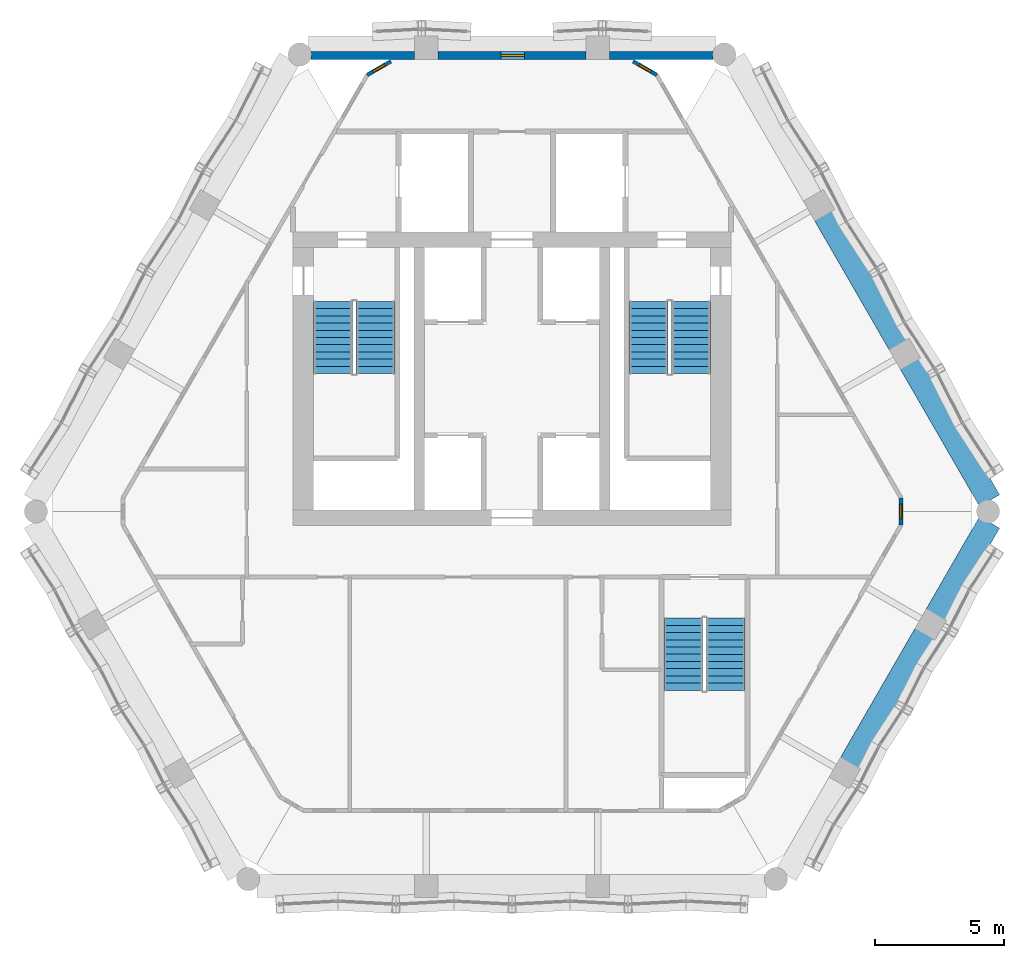
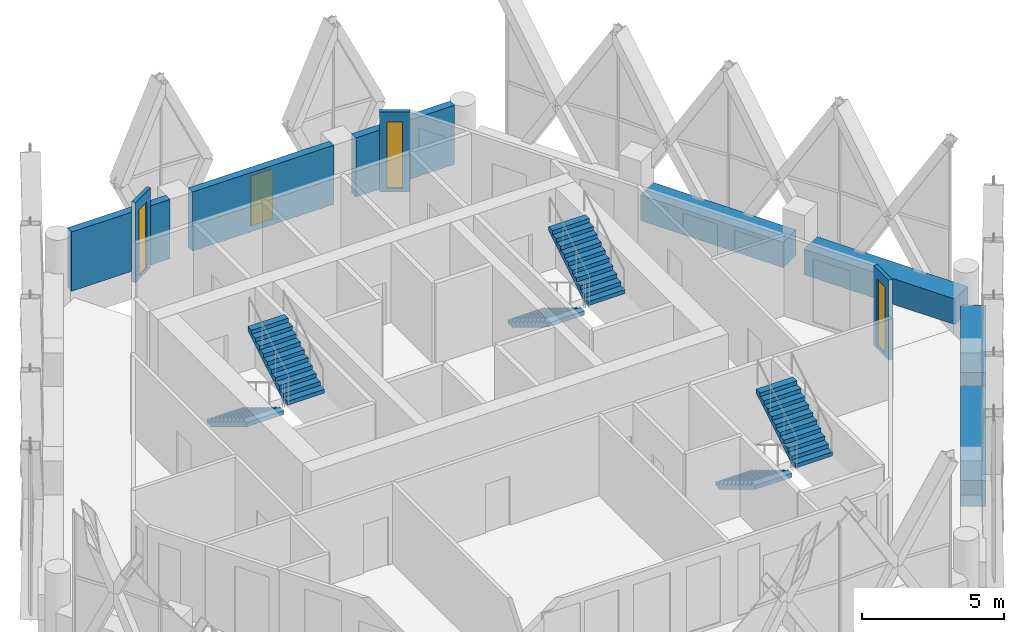
# One storey, part 21 of 27: 10 walls, 6 stair flights, 4 windows, 4 openings, 3 elements without a shape of their own.
"""IFC4 building model written with IfcOpenShell, lengths in metres."""

from ifc_helpers import new_model, si_unit, direction, frame, frame_2d, origin, place, context, subcontext, project, spatial, polyline, rectangle, outline, extrude, material, layer, layer_set, type_object, element, fill, aggregate, save


model = new_model("IFC4")

# Units and contexts
model_context = context("Model", 3, precision=1e-05, world=origin(), true_north=direction((0.0, 1.0)))
body_context = subcontext(model_context, "Body", "Model", "MODEL_VIEW")
ifc_project = project(units=[si_unit("LENGTHUNIT", "METRE"), si_unit("AREAUNIT", "SQUARE_METRE"), si_unit("VOLUMEUNIT", "CUBIC_METRE"), si_unit("PLANEANGLEUNIT", "RADIAN"), si_unit("MASSUNIT", "GRAM", prefix="KILO")], contexts=[model_context])

# Site, building, storey
site_placement = place(None, origin())
site = spatial("IfcSite", under=ifc_project, at=site_placement, CompositionType="ELEMENT")
building_placement = place(site_placement, origin())
building = spatial("IfcBuilding", under=site, at=building_placement, Name="Ostrander Bayou Hotel Tower", CompositionType="ELEMENT")
storey_placement = place(building_placement, frame((0.0, 0.0, 267.5)))
storey = spatial("IfcBuildingStorey", under=building, at=storey_placement, Name="L66", CompositionType="ELEMENT", Elevation=267.5)

# Wall, opening, window
ifc_material_1 = material(Name="Aluminium framed insulated wall", Category="aluminium")
ifc_layer_1 = layer(ifc_material_1, 0.14990234375)
ifc_layer_set_1 = layer_set([ifc_layer_1], Name="GW1 glass-line wall 150 mm")
wall_type_1 = type_object("IfcWallType", Name="GW1 glass-line wall 150 mm", PredefinedType="SOLIDWALL", material=ifc_layer_set_1)
wall_1_placement = place(storey_placement, frame((-4.70361328125, 16.324951171875, 0.0), z_axis=(0.0, 0.0, 1.0), x_axis=(-0.866048165231, -0.499960573946, 0.0)))
wall_1 = element("IfcWall", 1, at=wall_1_placement, inside=storey, type_object=wall_type_1, Name="GW1 L66 corner 1", PredefinedType="SOLIDWALL", context=body_context, shape_type="SweptSolid", body=[
    extrude(rectangle(XDim=1.06494140625, YDim=0.14990234375, at=frame_2d((0.532470703125, 0.0))), origin(), (0.0, 0.0, 1.0), 3.449951171875),
])
opening_1_placement = place(wall_1_placement, frame((0.257568359375, 0.0, 0.14990234375)))
opening_1 = element("IfcOpeningElement", 2, at=opening_1_placement, cuts=wall_1, Name="Opening W19", PredefinedType="OPENING", context=body_context, shape_type="SweptSolid", body=[
    extrude(rectangle(XDim=0.550048828125, YDim=2.85009765625, at=frame_2d((0.27490234375, 1.425048828125))), frame((0.0, 0.074951171875, 0.0), z_axis=(0.0, -1.0, 0.0), x_axis=(1.0, 0.0, 0.0)), (0.0, 0.0, 1.0), 0.14990234375),
])
ifc_material_2 = material(Name="Aluminium and clear glass", Category="aluminium")
window_type_1 = type_object("IfcWindowType", Name="W19 corner window 550 mm", PartitioningType="SINGLE_PANEL", PredefinedType="WINDOW", material=ifc_material_2)
window_1_placement = place(opening_1_placement, origin())
window_1 = element("IfcWindow", 3, at=window_1_placement, inside=storey, type_object=window_type_1, Name="W19 L66 corner 1", OverallHeight=2.85009765625, OverallWidth=0.550048828125, PartitioningType="SINGLE_PANEL", PredefinedType="WINDOW", context=body_context, shape_type="SweptSolid", body=[
    extrude(rectangle(XDim=0.550048828125, YDim=2.85009765625, at=frame_2d((0.27490234375, 1.425048828125))), frame((0.0, 0.030029296875, 0.0), z_axis=(0.0, -1.0, 0.0), x_axis=(1.0, 0.0, 0.0)), (0.0, 0.0, 1.0), 0.06005859375),
])
fill(opening_1, window_1)

wall_2_placement = place(storey_placement, frame((15.10400390625, -1.68896484375, 0.0), z_axis=(0.0, 0.0, 1.0), x_axis=(0.0, 1.0, 0.0)))
wall_2 = element("IfcWall", 4, at=wall_2_placement, inside=storey, type_object=wall_type_1, Name="GW1 L66 corner 5", PredefinedType="SOLIDWALL", context=body_context, shape_type="SweptSolid", body=[
    extrude(rectangle(XDim=1.06494140625, YDim=0.14990234375, at=frame_2d((0.532470703125, 0.0))), origin(), (0.0, 0.0, 1.0), 3.449951171875),
])
opening_2_placement = place(wall_2_placement, frame((0.257568359375, 0.0, 0.14990234375)))
opening_2 = element("IfcOpeningElement", 5, at=opening_2_placement, cuts=wall_2, Name="Opening W19", PredefinedType="OPENING", context=body_context, shape_type="SweptSolid", body=[
    extrude(rectangle(XDim=0.550048828125, YDim=2.85009765625, at=frame_2d((0.27490234375, 1.425048828125))), frame((0.0, 0.074951171875, 0.0), z_axis=(0.0, -1.0, 0.0), x_axis=(1.0, 0.0, 0.0)), (0.0, 0.0, 1.0), 0.14990234375),
])
window_2_placement = place(opening_2_placement, origin())
window_2 = element("IfcWindow", 6, at=window_2_placement, inside=storey, type_object=window_type_1, Name="W19 L66 corner 5", OverallHeight=2.85009765625, OverallWidth=0.550048828125, PartitioningType="SINGLE_PANEL", PredefinedType="WINDOW", context=body_context, shape_type="SweptSolid", body=[
    extrude(rectangle(XDim=0.550048828125, YDim=2.85009765625, at=frame_2d((0.27490234375, 1.425048828125))), frame((0.0, 0.030029296875, 0.0), z_axis=(0.0, -1.0, 0.0), x_axis=(1.0, 0.0, 0.0)), (0.0, 0.0, 1.0), 0.06005859375),
])
fill(opening_2, window_2)

wall_3_placement = place(storey_placement, frame((5.6259765625, 15.79248046875, 0.0), z_axis=(0.0, 0.0, 1.0), x_axis=(-0.866048165231, 0.499960573946, 0.0)))
wall_3 = element("IfcWall", 7, at=wall_3_placement, inside=storey, type_object=wall_type_1, Name="GW1 L66 corner 6", PredefinedType="SOLIDWALL", context=body_context, shape_type="SweptSolid", body=[
    extrude(rectangle(XDim=1.06494140625, YDim=0.14990234375, at=frame_2d((0.532470703125, 0.0))), origin(), (0.0, 0.0, 1.0), 3.449951171875),
])
opening_3_placement = place(wall_3_placement, frame((0.257568359375, 0.0, 0.14990234375)))
opening_3 = element("IfcOpeningElement", 8, at=opening_3_placement, cuts=wall_3, Name="Opening W19", PredefinedType="OPENING", context=body_context, shape_type="SweptSolid", body=[
    extrude(rectangle(XDim=0.550048828125, YDim=2.85009765625, at=frame_2d((0.27490234375, 1.425048828125))), frame((0.0, 0.074951171875, 0.0), z_axis=(0.0, -1.0, 0.0), x_axis=(1.0, 0.0, 0.0)), (0.0, 0.0, 1.0), 0.14990234375),
])
window_3_placement = place(opening_3_placement, origin())
window_3 = element("IfcWindow", 9, at=window_3_placement, inside=storey, type_object=window_type_1, Name="W19 L66 corner 6", OverallHeight=2.85009765625, OverallWidth=0.550048828125, PartitioningType="SINGLE_PANEL", PredefinedType="WINDOW", context=body_context, shape_type="SweptSolid", body=[
    extrude(rectangle(XDim=0.550048828125, YDim=2.85009765625, at=frame_2d((0.27490234375, 1.425048828125))), frame((0.0, 0.030029296875, 0.0), z_axis=(0.0, -1.0, 0.0), x_axis=(1.0, 0.0, 0.0)), (0.0, 0.0, 1.0), 0.06005859375),
])
fill(opening_3, window_3)

# Wall
ifc_material_3 = material(Name="Reconstituted stone on masonry backing", Category="masonry")
ifc_layer_2 = layer(ifc_material_3, 0.300048828125)
ifc_layer_set_2 = layer_set([ifc_layer_2], Name="NW1 north stone wall 300 mm")
wall_type_2 = type_object("IfcWallType", Name="NW1 north stone wall 300 mm", PredefinedType="SOLIDWALL", material=ifc_layer_set_2)
wall_4_placement = place(storey_placement, frame((7.7958984375, 16.550048828125, 0.0), z_axis=(0.0, 0.0, 1.0), x_axis=(-1.0, 0.0, 0.0)))
element("IfcWall", 10, at=wall_4_placement, inside=storey, type_object=wall_type_2, Name="NW1 L66 N-1", PredefinedType="SOLIDWALL", context=body_context, shape_type="SweptSolid", body=[
    extrude(rectangle(XDim=4.0166015625, YDim=0.300048828125, at=frame_2d((2.00830078125, 0.0))), origin(), (0.0, 0.0, 1.0), 2.550048828125),
])

# Wall, opening, window
wall_5_placement = place(storey_placement, frame((2.87939453125, 16.550048828125, 0.0), z_axis=(0.0, 0.0, 1.0), x_axis=(-1.0, 0.0, 0.0)))
wall_5 = element("IfcWall", 11, at=wall_5_placement, inside=storey, type_object=wall_type_2, Name="NW1 L66 N-2", PredefinedType="SOLIDWALL", context=body_context, shape_type="SweptSolid", body=[
    extrude(rectangle(XDim=5.7587890625, YDim=0.300048828125, at=frame_2d((2.87939453125, 0.0))), origin(), (0.0, 0.0, 1.0), 2.550048828125),
])
opening_4_placement = place(wall_5_placement, frame((2.39990234375, 0.0, 0.14990234375)))
opening_4 = element("IfcOpeningElement", 12, at=opening_4_placement, cuts=wall_5, Name="Opening W18", PredefinedType="OPENING", context=body_context, shape_type="SweptSolid", body=[
    extrude(rectangle(XDim=0.89990234375, YDim=2.14990234375, at=frame_2d((0.449951171875, 1.074951171875))), frame((0.0, 0.14990234375, 0.0), z_axis=(0.0, -1.0, 0.0), x_axis=(1.0, 0.0, 0.0)), (0.0, 0.0, 1.0), 0.300048828125),
])
ifc_material_4 = material(Name="Aluminium and clear glass", Category="aluminium")
window_type_2 = type_object("IfcWindowType", Name="W18 window 900 mm, zone 4", PartitioningType="SINGLE_PANEL", PredefinedType="WINDOW", material=ifc_material_4)
window_4_placement = place(opening_4_placement, origin())
window_4 = element("IfcWindow", 13, at=window_4_placement, inside=storey, type_object=window_type_2, Name="W18 L66 north N-2", OverallHeight=2.14990234375, OverallWidth=0.89990234375, PartitioningType="SINGLE_PANEL", PredefinedType="WINDOW", context=body_context, shape_type="SweptSolid", body=[
    extrude(rectangle(XDim=0.89990234375, YDim=2.14990234375, at=frame_2d((0.449951171875, 1.074951171875))), frame((0.0, 0.030029296875, 0.0), z_axis=(0.0, -1.0, 0.0), x_axis=(1.0, 0.0, 0.0)), (0.0, 0.0, 1.0), 0.06005859375),
])
fill(opening_4, window_4)

# Walls
wall_6_placement = place(storey_placement, frame((-3.779296875, 16.550048828125, 0.0), z_axis=(0.0, 0.0, 1.0), x_axis=(-1.0, 0.0, 0.0)))
element("IfcWall", 14, at=wall_6_placement, inside=storey, type_object=wall_type_2, Name="NW1 L66 N-3", PredefinedType="SOLIDWALL", context=body_context, shape_type="SweptSolid", body=[
    extrude(rectangle(XDim=4.0166015625, YDim=0.300048828125, at=frame_2d((2.00830078125, 0.0))), origin(), (0.0, 0.0, 1.0), 2.550048828125),
])
ifc_material_5 = material(Name="Concrete f'c 40 MPa", Category="concrete")
ifc_layer_3 = layer(ifc_material_5, 0.89990234375)
ifc_layer_set_3 = layer_set([ifc_layer_3], Name="PA1 stone-faced parapet 900 mm")
wall_type_3 = type_object("IfcWallType", Name="PA1 stone-faced parapet 900 mm", PredefinedType="PARAPET", material=ifc_layer_set_3)
wall_7_placement = place(storey_placement, frame((18.54541015625, -0.734619140625, 0.0), z_axis=(0.0, 0.0, 1.0), x_axis=(-0.499984362083, 0.866034432152, 0.0)))
element("IfcWall", 15, at=wall_7_placement, inside=storey, type_object=wall_type_3, Name="PA1 L66 NE-1", PredefinedType="PARAPET", context=body_context, shape_type="SweptSolid", body=[
    extrude(rectangle(XDim=6.159423828125, YDim=0.89990234375, at=frame_2d((3.07958984375, 0.0))), origin(), (0.0, 0.0, 1.0), 1.10009765625),
])
wall_8_placement = place(storey_placement, frame((15.045654296875, 5.3271484375, 0.0), z_axis=(0.0, 0.0, 1.0), x_axis=(-0.499997265274, 0.866026982673, 0.0)))
element("IfcWall", 16, at=wall_8_placement, inside=storey, type_object=wall_type_3, Name="PA1 L66 NE-2", PredefinedType="PARAPET", context=body_context, shape_type="SweptSolid", body=[
    extrude(rectangle(XDim=5.81884765625, YDim=0.89990234375, at=frame_2d((2.909423828125, 0.0))), origin(), (0.0, 0.0, 1.0), 1.10009765625),
])
ifc_material_6 = material(Name="Limestone masonry", Category="masonry")
ifc_layer_4 = layer(ifc_material_6, 0.89990234375)
ifc_layer_set_4 = layer_set([ifc_layer_4], Name="PA2 limestone parapet 900 mm")
wall_type_4 = type_object("IfcWallType", Name="PA2 limestone parapet 900 mm", PredefinedType="PARAPET", material=ifc_layer_set_4)
wall_9_placement = place(storey_placement, frame((13.1376953125, -10.944580078125, 0.0), z_axis=(0.0, 0.0, 1.0), x_axis=(0.500015433515, 0.866016493057, 0.0)))
element("IfcWall", 17, at=wall_9_placement, inside=storey, type_object=wall_type_4, Name="PA2 L66 SE-2", PredefinedType="PARAPET", context=body_context, shape_type="SweptSolid", body=[
    extrude(rectangle(XDim=5.818603515625, YDim=0.89990234375, at=frame_2d((2.9091796875, 0.0))), origin(), (0.0, 0.0, 1.0), 1.10009765625),
])
wall_10_placement = place(storey_placement, frame((16.46728515625, -5.177978515625, 0.0), z_axis=(0.0, 0.0, 1.0), x_axis=(0.499980071345, 0.866036909293, 0.0)))
element("IfcWall", 18, at=wall_10_placement, inside=storey, type_object=wall_type_4, Name="PA2 L66 SE-3", PredefinedType="PARAPET", context=body_context, shape_type="SweptSolid", body=[
    extrude(rectangle(XDim=4.156494140625, YDim=0.89990234375, at=frame_2d((2.078125, 0.0))), origin(), (0.0, 0.0, 1.0), 1.10009765625),
])

# Stair, stair flights
ifc_material_7 = material(Name="Concrete f'c 45 MPa", Category="concrete")
stair_type = type_object("IfcStairType", Name="ST1 exit stair 1500 mm f'c 45 MPa", PredefinedType="HALF_TURN_STAIR", material=ifc_material_7)
stair_1_placement = place(storey_placement, origin())
stair_1 = element("IfcStair", 19, at=stair_1_placement, inside=storey, type_object=stair_type, Name="L66 exit stair A", PredefinedType="HALF_TURN_STAIR")
ifc_material_8 = material(Name="Concrete f'c 45 MPa", Category="concrete")
stair_flight_type = type_object("IfcStairFlightType", Name="SF1 stair flight 1500 mm f'c 45 MPa", PredefinedType="STRAIGHT", material=ifc_material_8)
stair_flight_1_placement = place(storey_placement, frame((-6.949951171875, 7.0, 0.0), z_axis=(0.0, 0.0, 1.0), x_axis=(0.0, -1.0, 0.0)))
stair_flight_1 = element("IfcStairFlight", 20, at=stair_flight_1_placement, type_object=stair_flight_type, Name="STA flight 1", NumberOfRisers=11, NumberOfTreads=10, PredefinedType="STRAIGHT", RiserHeight=0.170454545, TreadLength=0.28, context=body_context, shape_type="SweptSolid", body=[
    extrude(outline(polyline([(0.0, 0.0), (0.0, 0.17041015625), (0.280029296875, 0.17041015625), (0.280029296875, 0.3408203125), (0.56005859375, 0.3408203125), (0.56005859375, 0.511474609375), (0.840087890625, 0.511474609375), (0.840087890625, 0.681884765625), (1.1201171875, 0.681884765625), (1.1201171875, 0.852294921875), (1.39990234375, 0.852294921875), (1.39990234375, 1.022705078125), (1.679931640625, 1.022705078125), (1.679931640625, 1.193115234375), (1.9599609375, 1.193115234375), (1.9599609375, 1.363525390625), (2.239990234375, 1.363525390625), (2.239990234375, 1.5341796875), (2.52001953125, 1.5341796875), (2.52001953125, 1.70458984375), (2.800048828125, 1.70458984375), (2.800048828125, 1.875), (2.800048828125, 1.529052734375), (0.288330078125, 0.0), (0.0, 0.0)])), frame((0.0, 0.75, 0.0), z_axis=(0.0, -1.0, 0.0), x_axis=(1.0, 0.0, 0.0)), (0.0, 0.0, 1.0), 1.5),
])
stair_flight_2_placement = place(storey_placement, frame((-5.300048828125, 4.199951171875, 1.875), z_axis=(0.0, 0.0, 1.0), x_axis=(0.0, 1.0, 0.0)))
stair_flight_2 = element("IfcStairFlight", 21, at=stair_flight_2_placement, type_object=stair_flight_type, Name="STA flight 2", NumberOfRisers=11, NumberOfTreads=10, PredefinedType="STRAIGHT", RiserHeight=0.170454545, TreadLength=0.28, context=body_context, shape_type="SweptSolid", body=[
    extrude(outline(polyline([(0.0, 0.0), (0.0, 0.17041015625), (0.280029296875, 0.17041015625), (0.280029296875, 0.3408203125), (0.56005859375, 0.3408203125), (0.56005859375, 0.511474609375), (0.840087890625, 0.511474609375), (0.840087890625, 0.681884765625), (1.1201171875, 0.681884765625), (1.1201171875, 0.852294921875), (1.39990234375, 0.852294921875), (1.39990234375, 1.022705078125), (1.679931640625, 1.022705078125), (1.679931640625, 1.193115234375), (1.9599609375, 1.193115234375), (1.9599609375, 1.363525390625), (2.239990234375, 1.363525390625), (2.239990234375, 1.5341796875), (2.52001953125, 1.5341796875), (2.52001953125, 1.70458984375), (2.800048828125, 1.70458984375), (2.800048828125, 1.875), (2.800048828125, 1.529052734375), (0.288330078125, 0.0), (0.0, 0.0)])), frame((0.0, 0.75, 0.0), z_axis=(0.0, -1.0, 0.0), x_axis=(1.0, 0.0, 0.0)), (0.0, 0.0, 1.0), 1.5),
])
aggregate(stair_1, [stair_flight_1, stair_flight_2])

stair_2_placement = place(storey_placement, origin())
stair_2 = element("IfcStair", 22, at=stair_2_placement, inside=storey, type_object=stair_type, Name="L66 exit stair B", PredefinedType="HALF_TURN_STAIR")
stair_flight_3_placement = place(storey_placement, frame((5.300048828125, 7.0, 0.0), z_axis=(0.0, 0.0, 1.0), x_axis=(0.0, -1.0, 0.0)))
stair_flight_3 = element("IfcStairFlight", 23, at=stair_flight_3_placement, type_object=stair_flight_type, Name="STB flight 1", NumberOfRisers=11, NumberOfTreads=10, PredefinedType="STRAIGHT", RiserHeight=0.170454545, TreadLength=0.28, context=body_context, shape_type="SweptSolid", body=[
    extrude(outline(polyline([(0.0, 0.0), (0.0, 0.17041015625), (0.280029296875, 0.17041015625), (0.280029296875, 0.3408203125), (0.56005859375, 0.3408203125), (0.56005859375, 0.511474609375), (0.840087890625, 0.511474609375), (0.840087890625, 0.681884765625), (1.1201171875, 0.681884765625), (1.1201171875, 0.852294921875), (1.39990234375, 0.852294921875), (1.39990234375, 1.022705078125), (1.679931640625, 1.022705078125), (1.679931640625, 1.193115234375), (1.9599609375, 1.193115234375), (1.9599609375, 1.363525390625), (2.239990234375, 1.363525390625), (2.239990234375, 1.5341796875), (2.52001953125, 1.5341796875), (2.52001953125, 1.70458984375), (2.800048828125, 1.70458984375), (2.800048828125, 1.875), (2.800048828125, 1.529052734375), (0.288330078125, 0.0), (0.0, 0.0)])), frame((0.0, 0.75, 0.0), z_axis=(0.0, -1.0, 0.0), x_axis=(1.0, 0.0, 0.0)), (0.0, 0.0, 1.0), 1.5),
])
stair_flight_4_placement = place(storey_placement, frame((6.949951171875, 4.199951171875, 1.875), z_axis=(0.0, 0.0, 1.0), x_axis=(0.0, 1.0, 0.0)))
stair_flight_4 = element("IfcStairFlight", 24, at=stair_flight_4_placement, type_object=stair_flight_type, Name="STB flight 2", NumberOfRisers=11, NumberOfTreads=10, PredefinedType="STRAIGHT", RiserHeight=0.170454545, TreadLength=0.28, context=body_context, shape_type="SweptSolid", body=[
    extrude(outline(polyline([(0.0, 0.0), (0.0, 0.17041015625), (0.280029296875, 0.17041015625), (0.280029296875, 0.3408203125), (0.56005859375, 0.3408203125), (0.56005859375, 0.511474609375), (0.840087890625, 0.511474609375), (0.840087890625, 0.681884765625), (1.1201171875, 0.681884765625), (1.1201171875, 0.852294921875), (1.39990234375, 0.852294921875), (1.39990234375, 1.022705078125), (1.679931640625, 1.022705078125), (1.679931640625, 1.193115234375), (1.9599609375, 1.193115234375), (1.9599609375, 1.363525390625), (2.239990234375, 1.363525390625), (2.239990234375, 1.5341796875), (2.52001953125, 1.5341796875), (2.52001953125, 1.70458984375), (2.800048828125, 1.70458984375), (2.800048828125, 1.875), (2.800048828125, 1.529052734375), (0.288330078125, 0.0), (0.0, 0.0)])), frame((0.0, 0.75, 0.0), z_axis=(0.0, -1.0, 0.0), x_axis=(1.0, 0.0, 0.0)), (0.0, 0.0, 1.0), 1.5),
])
aggregate(stair_2, [stair_flight_3, stair_flight_4])

stair_3_placement = place(storey_placement, origin())
stair_3 = element("IfcStair", 25, at=stair_3_placement, inside=storey, type_object=stair_type, Name="L66 exit stair C", PredefinedType="HALF_TURN_STAIR")
stair_flight_5_placement = place(storey_placement, frame((6.64990234375, -5.300048828125, 0.0), z_axis=(0.0, 0.0, 1.0), x_axis=(0.0, -1.0, 0.0)))
stair_flight_5 = element("IfcStairFlight", 26, at=stair_flight_5_placement, type_object=stair_flight_type, Name="STC flight 1", NumberOfRisers=11, NumberOfTreads=10, PredefinedType="STRAIGHT", RiserHeight=0.170454545, TreadLength=0.28, context=body_context, shape_type="SweptSolid", body=[
    extrude(outline(polyline([(0.0, 0.0), (0.0, 0.17041015625), (0.280029296875, 0.17041015625), (0.280029296875, 0.3408203125), (0.56005859375, 0.3408203125), (0.56005859375, 0.511474609375), (0.840087890625, 0.511474609375), (0.840087890625, 0.681884765625), (1.1201171875, 0.681884765625), (1.1201171875, 0.852294921875), (1.39990234375, 0.852294921875), (1.39990234375, 1.022705078125), (1.679931640625, 1.022705078125), (1.679931640625, 1.193115234375), (1.9599609375, 1.193115234375), (1.9599609375, 1.363525390625), (2.239990234375, 1.363525390625), (2.239990234375, 1.5341796875), (2.52001953125, 1.5341796875), (2.52001953125, 1.70458984375), (2.800048828125, 1.70458984375), (2.800048828125, 1.875), (2.800048828125, 1.529052734375), (0.288330078125, 0.0), (0.0, 0.0)])), frame((0.0, 0.75, 0.0), z_axis=(0.0, -1.0, 0.0), x_axis=(1.0, 0.0, 0.0)), (0.0, 0.0, 1.0), 1.5),
])
stair_flight_6_placement = place(storey_placement, frame((8.300048828125, -8.10009765625, 1.875), z_axis=(0.0, 0.0, 1.0), x_axis=(0.0, 1.0, 0.0)))
stair_flight_6 = element("IfcStairFlight", 27, at=stair_flight_6_placement, type_object=stair_flight_type, Name="STC flight 2", NumberOfRisers=11, NumberOfTreads=10, PredefinedType="STRAIGHT", RiserHeight=0.170454545, TreadLength=0.28, context=body_context, shape_type="SweptSolid", body=[
    extrude(outline(polyline([(0.0, 0.0), (0.0, 0.17041015625), (0.280029296875, 0.17041015625), (0.280029296875, 0.3408203125), (0.56005859375, 0.3408203125), (0.56005859375, 0.511474609375), (0.840087890625, 0.511474609375), (0.840087890625, 0.681884765625), (1.1201171875, 0.681884765625), (1.1201171875, 0.852294921875), (1.39990234375, 0.852294921875), (1.39990234375, 1.022705078125), (1.679931640625, 1.022705078125), (1.679931640625, 1.193115234375), (1.9599609375, 1.193115234375), (1.9599609375, 1.363525390625), (2.239990234375, 1.363525390625), (2.239990234375, 1.5341796875), (2.52001953125, 1.5341796875), (2.52001953125, 1.70458984375), (2.800048828125, 1.70458984375), (2.800048828125, 1.875), (2.800048828125, 1.529052734375), (0.288330078125, 0.0), (0.0, 0.0)])), frame((0.0, 0.75, 0.0), z_axis=(0.0, -1.0, 0.0), x_axis=(1.0, 0.0, 0.0)), (0.0, 0.0, 1.0), 1.5),
])
aggregate(stair_3, [stair_flight_5, stair_flight_6])

save(model, "model.ifc")
